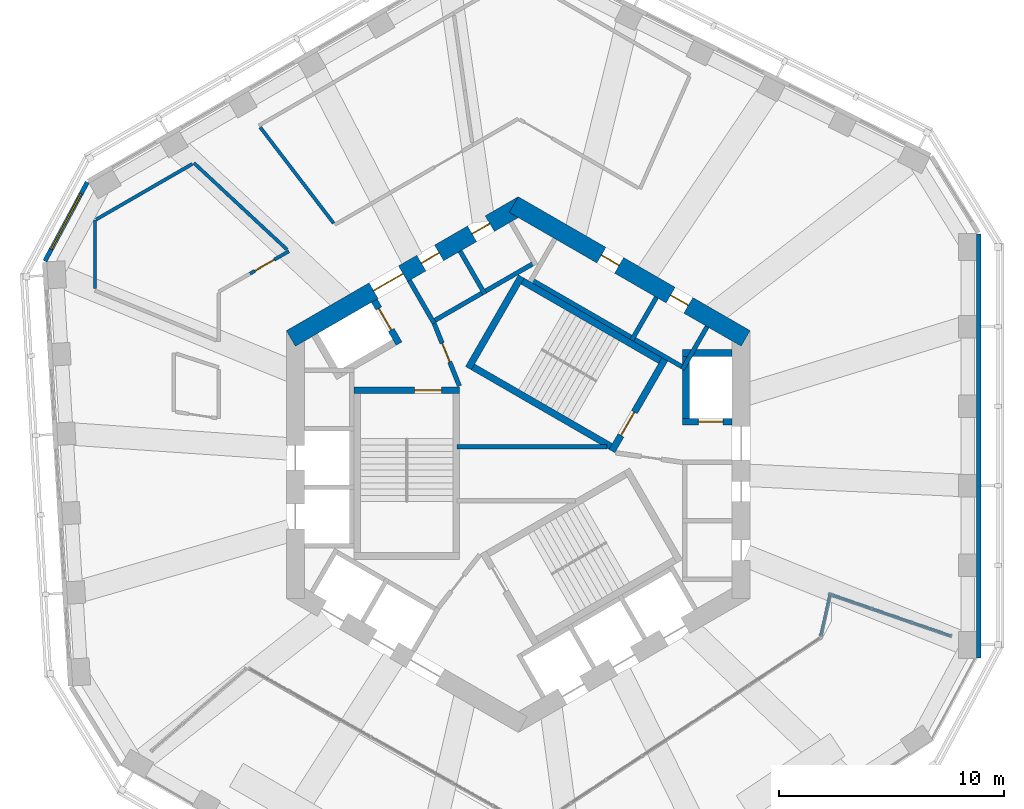
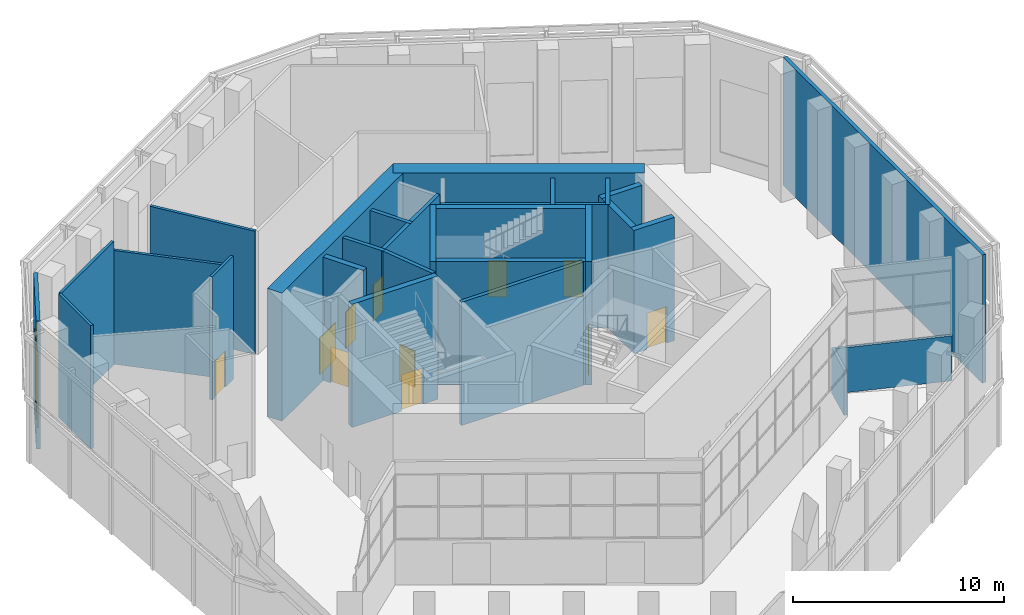
# One storey, part 10 of 17: 28 walls, 11 doors, 1 window, 12 openings.
"""IFC4 building model written with IfcOpenShell, lengths in metres."""

from ifc_helpers import new_model, si_unit, direction, frame, frame_2d, origin, place, context, subcontext, project, spatial, rectangle, extrude, material, layer, layer_set, type_object, element, fill, save


model = new_model("IFC4")

# Units and contexts
model_context = context("Model", 3, precision=1e-05, world=origin(), true_north=direction((0.0, 1.0)))
body_context = subcontext(model_context, "Body", "Model", "MODEL_VIEW")
ifc_project = project(units=[si_unit("LENGTHUNIT", "METRE"), si_unit("AREAUNIT", "SQUARE_METRE"), si_unit("VOLUMEUNIT", "CUBIC_METRE"), si_unit("PLANEANGLEUNIT", "RADIAN"), si_unit("MASSUNIT", "GRAM", prefix="KILO")], contexts=[model_context])

# Site, building, storey
site_placement = place(None, origin())
site = spatial("IfcSite", under=ifc_project, at=site_placement, CompositionType="ELEMENT")
building_placement = place(site_placement, origin())
building = spatial("IfcBuilding", under=site, at=building_placement, Name="Vanh Sen Convention Tower", CompositionType="ELEMENT")
storey_placement = place(building_placement, frame((0.0, 0.0, 214.300048828125)))
storey = spatial("IfcBuildingStorey", under=building, at=storey_placement, Name="L53", CompositionType="ELEMENT", Elevation=214.300048828125)

# Wall, openings, doors
ifc_material_1 = material(Name="Concrete C60/75", Category="concrete")
ifc_layer_1 = layer(ifc_material_1, 0.800048828125)
ifc_layer_set_1 = layer_set([ifc_layer_1], Name="Concrete C60/75")
wall_type_1 = type_object("IfcWallType", Name="Core outer wall 800 C60/75", PredefinedType="SHEAR", material=ifc_layer_set_1)
wall_1_placement = place(storey_placement, frame((10.10009765625, 5.600341796875, 0.0), z_axis=(0.0, 0.0, 1.0), x_axis=(-0.866023897231, 0.500002609418, 0.0)))
wall_1 = element("IfcWall", 1, at=wall_1_placement, inside=storey, type_object=wall_type_1, Name="Core wall face NE L53", PredefinedType="SHEAR", context=body_context, shape_type="SweptSolid", body=[
    extrude(rectangle(XDim=11.8935546875, YDim=0.800048828125, at=frame_2d((5.94677734375, 0.0))), origin(), (0.0, 0.0, 1.0), 7.39990234375),
])
opening_1_placement = place(wall_1_placement, frame((2.94677734375, 0.0, 0.0)))
opening_1 = element("IfcOpeningElement", 2, at=opening_1_placement, cuts=wall_1, Name="Opening D53012", PredefinedType="OPENING", context=body_context, shape_type="SweptSolid", body=[
    extrude(rectangle(XDim=0.89990234375, YDim=2.10009765625, at=frame_2d((0.449951171875, 1.050048828125))), frame((0.0, 0.409912109375, 0.0), z_axis=(0.0, -1.0, 0.0), x_axis=(1.0, 0.0, 0.0)), (0.0, 0.0, 1.0), 0.820068359375),
])
opening_2_placement = place(wall_1_placement, frame((6.49658203125, 0.0, 0.0)))
opening_2 = element("IfcOpeningElement", 3, at=opening_2_placement, cuts=wall_1, Name="Opening D53013", PredefinedType="OPENING", context=body_context, shape_type="SweptSolid", body=[
    extrude(rectangle(XDim=0.89990234375, YDim=2.10009765625, at=frame_2d((0.449951171875, 1.050048828125))), frame((0.0, 0.409912109375, 0.0), z_axis=(0.0, -1.0, 0.0), x_axis=(1.0, 0.0, 0.0)), (0.0, 0.0, 1.0), 0.820068359375),
])
ifc_material_2 = material(Name="Steel S355", Category="steel")
door_type_1 = type_object("IfcDoorType", Name="Plant door 900", OperationType="SINGLE_SWING_LEFT", PredefinedType="DOOR", material=ifc_material_2)
door_1_placement = place(opening_1_placement, origin())
door_1 = element("IfcDoor", 4, at=door_1_placement, inside=storey, type_object=door_type_1, Name="Plant door D53012", OperationType="SINGLE_SWING_LEFT", OverallHeight=2.10009765625, OverallWidth=0.89990234375, PredefinedType="DOOR", context=body_context, shape_type="SweptSolid", body=[
    extrude(rectangle(XDim=0.89990234375, YDim=2.10009765625, at=frame_2d((0.449951171875, 1.050048828125))), frame((0.0, 0.02490234375, 0.0), z_axis=(0.0, -1.0, 0.0), x_axis=(1.0, 0.0, 0.0)), (0.0, 0.0, 1.0), 0.050048828125),
])
fill(opening_1, door_1)
door_2_placement = place(opening_2_placement, origin())
door_2 = element("IfcDoor", 5, at=door_2_placement, inside=storey, type_object=door_type_1, Name="Plant door D53013", OperationType="SINGLE_SWING_LEFT", OverallHeight=2.10009765625, OverallWidth=0.89990234375, PredefinedType="DOOR", context=body_context, shape_type="SweptSolid", body=[
    extrude(rectangle(XDim=0.89990234375, YDim=2.10009765625, at=frame_2d((0.449951171875, 1.050048828125))), frame((0.0, 0.02490234375, 0.0), z_axis=(0.0, -1.0, 0.0), x_axis=(1.0, 0.0, 0.0)), (0.0, 0.0, 1.0), 0.050048828125),
])
fill(opening_2, door_2)

wall_2_placement = place(storey_placement, frame((0.199951171875, 11.547119140625, 0.0), z_axis=(0.0, 0.0, 1.0), x_axis=(-0.866023897231, -0.500002609418, 0.0)))
wall_2 = element("IfcWall", 6, at=wall_2_placement, inside=storey, type_object=wall_type_1, Name="Core wall face NW L53", PredefinedType="SHEAR", context=body_context, shape_type="SweptSolid", body=[
    extrude(rectangle(XDim=11.8935546875, YDim=0.800048828125, at=frame_2d((5.94677734375, 0.0))), origin(), (0.0, 0.0, 1.0), 7.39990234375),
])
opening_3_placement = place(wall_2_placement, frame((6.146728515625, 0.0, 0.0)))
opening_3 = element("IfcOpeningElement", 7, at=opening_3_placement, cuts=wall_2, Name="Opening D53002", PredefinedType="OPENING", context=body_context, shape_type="SweptSolid", body=[
    extrude(rectangle(XDim=1.5, YDim=2.10009765625, at=frame_2d((0.75, 1.050048828125))), frame((0.0, 0.409912109375, 0.0), z_axis=(0.0, -1.0, 0.0), x_axis=(1.0, 0.0, 0.0)), (0.0, 0.0, 1.0), 0.820068359375),
])
opening_4_placement = place(wall_2_placement, frame((1.69677734375, 0.0, 0.0)))
opening_4 = element("IfcOpeningElement", 8, at=opening_4_placement, cuts=wall_2, Name="Opening D53014", PredefinedType="OPENING", context=body_context, shape_type="SweptSolid", body=[
    extrude(rectangle(XDim=0.89990234375, YDim=2.10009765625, at=frame_2d((0.449951171875, 1.050048828125))), frame((0.0, 0.409912109375, 0.0), z_axis=(0.0, -1.0, 0.0), x_axis=(1.0, 0.0, 0.0)), (0.0, 0.0, 1.0), 0.820068359375),
])
opening_5_placement = place(wall_2_placement, frame((4.296630859375, 0.0, 0.0)))
opening_5 = element("IfcOpeningElement", 9, at=opening_5_placement, cuts=wall_2, Name="Opening D53015", PredefinedType="OPENING", context=body_context, shape_type="SweptSolid", body=[
    extrude(rectangle(XDim=0.89990234375, YDim=2.10009765625, at=frame_2d((0.449951171875, 1.050048828125))), frame((0.0, 0.409912109375, 0.0), z_axis=(0.0, -1.0, 0.0), x_axis=(1.0, 0.0, 0.0)), (0.0, 0.0, 1.0), 0.820068359375),
])
door_3_placement = place(opening_4_placement, origin())
door_3 = element("IfcDoor", 10, at=door_3_placement, inside=storey, type_object=door_type_1, Name="Plant door D53014", OperationType="SINGLE_SWING_LEFT", OverallHeight=2.10009765625, OverallWidth=0.89990234375, PredefinedType="DOOR", context=body_context, shape_type="SweptSolid", body=[
    extrude(rectangle(XDim=0.89990234375, YDim=2.10009765625, at=frame_2d((0.449951171875, 1.050048828125))), frame((0.0, 0.02490234375, 0.0), z_axis=(0.0, -1.0, 0.0), x_axis=(1.0, 0.0, 0.0)), (0.0, 0.0, 1.0), 0.050048828125),
])
fill(opening_4, door_3)
door_4_placement = place(opening_5_placement, origin())
door_4 = element("IfcDoor", 11, at=door_4_placement, inside=storey, type_object=door_type_1, Name="Plant door D53015", OperationType="SINGLE_SWING_LEFT", OverallHeight=2.10009765625, OverallWidth=0.89990234375, PredefinedType="DOOR", context=body_context, shape_type="SweptSolid", body=[
    extrude(rectangle(XDim=0.89990234375, YDim=2.10009765625, at=frame_2d((0.449951171875, 1.050048828125))), frame((0.0, 0.02490234375, 0.0), z_axis=(0.0, -1.0, 0.0), x_axis=(1.0, 0.0, 0.0)), (0.0, 0.0, 1.0), 0.050048828125),
])
fill(opening_5, door_4)
door_type_2 = type_object("IfcDoorType", Name="Stair lobby door 1500", OperationType="DOUBLE_DOOR_SINGLE_SWING", PredefinedType="DOOR", material=ifc_material_2)
door_5_placement = place(opening_3_placement, origin())
door_5 = element("IfcDoor", 12, at=door_5_placement, inside=storey, type_object=door_type_2, Name="Stair lobby door D53002", OperationType="DOUBLE_DOOR_SINGLE_SWING", OverallHeight=2.10009765625, OverallWidth=1.5, PredefinedType="DOOR", context=body_context, shape_type="SweptSolid", body=[
    extrude(rectangle(XDim=1.5, YDim=2.10009765625, at=frame_2d((0.75, 1.050048828125))), frame((0.0, 0.02490234375, 0.0), z_axis=(0.0, -1.0, 0.0), x_axis=(1.0, 0.0, 0.0)), (0.0, 0.0, 1.0), 0.050048828125),
])
fill(opening_3, door_5)

# Walls
ifc_material_3 = material(Name="Masonry blockwork", Category="masonry")
ifc_layer_2 = layer(ifc_material_3, 0.199951171875)
ifc_layer_set_2 = layer_set([ifc_layer_2], Name="Masonry blockwork")
wall_type_2 = type_object("IfcWallType", Name="Core partition 200", PredefinedType="PARTITIONING", material=ifc_layer_set_2)
wall_3_placement = place(storey_placement, frame((-2.719970703125, 0.800048828125, 0.0), z_axis=(0.0, 0.0, 1.0), x_axis=(1.0, 0.0, 0.0)))
element("IfcWall", 13, at=wall_3_placement, inside=storey, type_object=wall_type_2, Name="Core partition L53", PredefinedType="PARTITIONING", context=body_context, shape_type="SweptSolid", body=[
    extrude(rectangle(XDim=6.654296875, YDim=0.199951171875, at=frame_2d((3.3271484375, 0.0))), origin(), (0.0, 0.0, 1.0), 7.119873046875),
])
ifc_material_4 = material(Name="Insulated lightweight infill wall")
ifc_layer_3 = layer(ifc_material_4, 0.199951171875)
ifc_layer_set_3 = layer_set([ifc_layer_3], Name="Insulated lightweight infill wall")
wall_type_3 = type_object("IfcWallType", Name="External wall 200", PredefinedType="STANDARD", material=ifc_layer_set_3)
wall_4_placement = place(storey_placement, frame((20.449951171875, -8.5810546875, 0.0), z_axis=(0.0, 0.0, 1.0), x_axis=(0.0, 1.0, 0.0)))
element("IfcWall", 14, at=wall_4_placement, inside=storey, type_object=wall_type_3, Name="External wall E-1 L53", PredefinedType="STANDARD", context=body_context, shape_type="SweptSolid", body=[
    extrude(rectangle(XDim=18.832275390625, YDim=0.199951171875, at=frame_2d((9.416015625, 0.0))), origin(), (0.0, 0.0, 1.0), 7.39990234375),
])

# Wall, opening, window
wall_5_placement = place(storey_placement, frame((-19.140869140625, 12.54541015625, 0.0), z_axis=(0.0, 0.0, 1.0), x_axis=(-0.473306370921, -0.880897882416, 0.0)))
wall_5 = element("IfcWall", 15, at=wall_5_placement, inside=storey, type_object=wall_type_3, Name="External wall CH3 L53", PredefinedType="STANDARD", context=body_context, shape_type="SweptSolid", body=[
    extrude(rectangle(XDim=3.982666015625, YDim=0.199951171875, at=frame_2d((1.9912109375, 0.0))), origin(), (0.0, 0.0, 1.0), 7.39990234375),
])
opening_6_placement = place(wall_5_placement, frame((0.59130859375, 0.0, 0.800048828125)))
opening_6 = element("IfcOpeningElement", 16, at=opening_6_placement, cuts=wall_5, Name="Opening WS3-CH31", PredefinedType="OPENING", context=body_context, shape_type="SweptSolid", body=[
    extrude(rectangle(XDim=2.800048828125, YDim=4.199951171875, at=frame_2d((1.39990234375, 2.10009765625))), frame((0.0, 0.10986328125, 0.0), z_axis=(0.0, -1.0, 0.0), x_axis=(1.0, 0.0, 0.0)), (0.0, 0.0, 1.0), 0.219970703125),
])
ifc_material_5 = material(Name="Aluminium frame with clear low-emissivity glass", Category="aluminium")
window_type = type_object("IfcWindowType", Name="Sky garden window 2800 x 4200", PartitioningType="SINGLE_PANEL", PredefinedType="WINDOW", material=ifc_material_5)
window_placement = place(opening_6_placement, origin())
window = element("IfcWindow", 17, at=window_placement, inside=storey, type_object=window_type, Name="Window WS3-CH31", OverallHeight=4.199951171875, OverallWidth=2.800048828125, PartitioningType="SINGLE_PANEL", PredefinedType="WINDOW", context=body_context, shape_type="SweptSolid", body=[
    extrude(rectangle(XDim=2.800048828125, YDim=4.199951171875, at=frame_2d((1.39990234375, 2.10009765625))), frame((0.0, 0.030029296875, 0.0), z_axis=(0.0, -1.0, 0.0), x_axis=(1.0, 0.0, 0.0)), (0.0, 0.0, 1.0), 0.06005859375),
])
fill(opening_6, window)

# Wall, opening, door
ifc_layer_4 = layer(ifc_material_1, 0.300048828125)
ifc_layer_set_4 = layer_set([ifc_layer_4], Name="Concrete C60/75")
wall_type_4 = type_object("IfcWallType", Name="Fire-fighting lift shaft wall 300", PredefinedType="SHEAR", material=ifc_layer_set_4)
wall_6_placement = place(storey_placement, frame((7.300048828125, 1.89990234375, 0.0), z_axis=(0.0, 0.0, 1.0), x_axis=(1.0, 0.0, 0.0)))
wall_6 = element("IfcWall", 18, at=wall_6_placement, inside=storey, type_object=wall_type_4, Name="Fire-fighting lift shaft wall L53", PredefinedType="SHEAR", context=body_context, shape_type="SweptSolid", body=[
    extrude(rectangle(XDim=2.199951171875, YDim=0.300048828125, at=frame_2d((1.10009765625, 0.0))), origin(), (0.0, 0.0, 1.0), 7.119873046875),
])
opening_7_placement = place(wall_6_placement, frame((0.699951171875, 0.0, 0.0)))
opening_7 = element("IfcOpeningElement", 19, at=opening_7_placement, cuts=wall_6, Name="Opening LD-FF1", PredefinedType="OPENING", context=body_context, shape_type="SweptSolid", body=[
    extrude(rectangle(XDim=1.10009765625, YDim=2.10009765625, at=frame_2d((0.550048828125, 1.050048828125))), frame((0.0, 0.159912109375, 0.0), z_axis=(0.0, -1.0, 0.0), x_axis=(1.0, 0.0, 0.0)), (0.0, 0.0, 1.0), 0.320068359375),
])
ifc_material_6 = material(Name="Stainless steel", Category="steel")
door_type_3 = type_object("IfcDoorType", Name="Fire-fighting lift landing door 1100", OperationType="DOUBLE_DOOR_SLIDING", PredefinedType="DOOR", material=ifc_material_6)
door_6_placement = place(opening_7_placement, origin())
door_6 = element("IfcDoor", 20, at=door_6_placement, inside=storey, type_object=door_type_3, Name="Lift FF1 landing door LD-FF1", OperationType="DOUBLE_DOOR_SLIDING", OverallHeight=2.10009765625, OverallWidth=1.10009765625, PredefinedType="DOOR", context=body_context, shape_type="SweptSolid", body=[
    extrude(rectangle(XDim=1.10009765625, YDim=2.10009765625, at=frame_2d((0.550048828125, 1.050048828125))), frame((0.0, 0.02490234375, 0.0), z_axis=(0.0, -1.0, 0.0), x_axis=(1.0, 0.0, 0.0)), (0.0, 0.0, 1.0), 0.050048828125),
])
fill(opening_7, door_6)

# Walls
wall_7_placement = place(storey_placement, frame((7.449951171875, 1.75, 0.0), z_axis=(0.0, 0.0, 1.0), x_axis=(0.0, 1.0, 0.0)))
element("IfcWall", 21, at=wall_7_placement, inside=storey, type_object=wall_type_4, Name="Fire-fighting lift shaft wall L53", PredefinedType="SHEAR", context=body_context, shape_type="SweptSolid", body=[
    extrude(rectangle(XDim=3.35009765625, YDim=0.300048828125, at=frame_2d((1.675048828125, 0.0))), origin(), (0.0, 0.0, 1.0), 7.119873046875),
])
wall_8_placement = place(storey_placement, frame((7.300048828125, 4.949951171875, 0.0), z_axis=(0.0, 0.0, 1.0), x_axis=(1.0, 0.0, 0.0)))
element("IfcWall", 22, at=wall_8_placement, inside=storey, type_object=wall_type_4, Name="Fire-fighting lift shaft wall L53", PredefinedType="SHEAR", context=body_context, shape_type="SweptSolid", body=[
    extrude(rectangle(XDim=2.199951171875, YDim=0.300048828125, at=frame_2d((1.10009765625, 0.0))), origin(), (0.0, 0.0, 1.0), 7.119873046875),
])

# Wall, opening, door
wall_9_placement = place(storey_placement, frame((-5.29541015625, 5.3720703125, 0.0), z_axis=(0.0, 0.0, 1.0), x_axis=(-0.500077893725, 0.86598042715, 0.0)))
wall_9 = element("IfcWall", 23, at=wall_9_placement, inside=storey, type_object=wall_type_4, Name="Fire-fighting lift shaft wall L53", PredefinedType="SHEAR", context=body_context, shape_type="SweptSolid", body=[
    extrude(rectangle(XDim=2.199951171875, YDim=0.300048828125, at=frame_2d((1.10009765625, 0.0))), origin(), (0.0, 0.0, 1.0), 7.119873046875),
])
opening_8_placement = place(wall_9_placement, frame((0.699951171875, 0.0, 0.0)))
opening_8 = element("IfcOpeningElement", 24, at=opening_8_placement, cuts=wall_9, Name="Opening LD-FF2", PredefinedType="OPENING", context=body_context, shape_type="SweptSolid", body=[
    extrude(rectangle(XDim=1.10009765625, YDim=2.10009765625, at=frame_2d((0.550048828125, 1.050048828125))), frame((0.0, 0.159912109375, 0.0), z_axis=(0.0, -1.0, 0.0), x_axis=(1.0, 0.0, 0.0)), (0.0, 0.0, 1.0), 0.320068359375),
])
door_7_placement = place(opening_8_placement, origin())
door_7 = element("IfcDoor", 25, at=door_7_placement, inside=storey, type_object=door_type_3, Name="Lift FF2 landing door LD-FF2", OperationType="DOUBLE_DOOR_SLIDING", OverallHeight=2.10009765625, OverallWidth=1.10009765625, PredefinedType="DOOR", context=body_context, shape_type="SweptSolid", body=[
    extrude(rectangle(XDim=1.10009765625, YDim=2.10009765625, at=frame_2d((0.550048828125, 1.050048828125))), frame((0.0, 0.02490234375, 0.0), z_axis=(0.0, -1.0, 0.0), x_axis=(1.0, 0.0, 0.0)), (0.0, 0.0, 1.0), 0.050048828125),
])
fill(opening_8, door_7)

# Walls
ifc_material_7 = material(Name="Concrete C40/50", Category="concrete")
ifc_layer_5 = layer(ifc_material_7, 0.199951171875)
ifc_layer_set_5 = layer_set([ifc_layer_5], Name="Concrete C40/50")
wall_type_5 = type_object("IfcWallType", Name="Lift shaft wall 200", PredefinedType="PARTITIONING", material=ifc_layer_set_5)
wall_10_placement = place(storey_placement, frame((7.423828125, 4.258544921875, 0.0), z_axis=(0.0, 0.0, 1.0), x_axis=(-0.866026010844, 0.49999894854, 0.0)))
element("IfcWall", 26, at=wall_10_placement, inside=storey, type_object=wall_type_5, Name="Lift shaft wall L53", PredefinedType="PARTITIONING", context=body_context, shape_type="SweptSolid", body=[
    extrude(rectangle(XDim=8.0, YDim=0.199951171875, at=frame_2d((4.0, 0.0))), origin(), (0.0, 0.0, 1.0), 7.119873046875),
])
for number, where, z_axis, x_axis, name in (
    (27, (7.287353515625, 4.221923828125, 0.0), (0.0, 0.0, 1.0), (0.499946605688, 0.86605622881, 0.0), "Lift shaft wall L53"),
    (28, (5.03564453125, 5.52197265625, 0.0), (0.0, 0.0, 1.0), (0.499946605688, 0.86605622881, 0.0), "Lift shaft wall L53"),
):
    element("IfcWall", number, at=place(storey_placement, frame(where, z_axis=z_axis, x_axis=x_axis)), inside=storey, type_object=wall_type_5, Name=name, PredefinedType="PARTITIONING", context=body_context, shape_type="SweptSolid", body=[
        extrude(rectangle(XDim=2.199951171875, YDim=0.199951171875, at=frame_2d((1.10009765625, 0.0))), origin(), (0.0, 0.0, 1.0), 7.119873046875),
    ])
wall_11_placement = place(storey_placement, frame((0.80322265625, 9.008544921875, 0.0), z_axis=(0.0, 0.0, 1.0), x_axis=(-0.866028230842, -0.499995103361, 0.0)))
element("IfcWall", 29, at=wall_11_placement, inside=storey, type_object=wall_type_5, Name="Lift shaft wall L53", PredefinedType="PARTITIONING", context=body_context, shape_type="SweptSolid", body=[
    extrude(rectangle(XDim=5.39990234375, YDim=0.199951171875, at=frame_2d((2.699951171875, 0.0))), origin(), (0.0, 0.0, 1.0), 7.119873046875),
])
for number, where, z_axis, x_axis, name in (
    (30, (-1.48486328125, 7.572021484375, 0.0), (0.0, 0.0, 1.0), (-0.50002983664, 0.866008176907, 0.0), "Lift shaft wall L53"),
    (31, (-3.736572265625, 6.27197265625, 0.0), (0.0, 0.0, 1.0), (-0.50002983664, 0.866008176907, 0.0), "Lift shaft wall L53"),
):
    element("IfcWall", number, at=place(storey_placement, frame(where, z_axis=z_axis, x_axis=x_axis)), inside=storey, type_object=wall_type_5, Name=name, PredefinedType="PARTITIONING", context=body_context, shape_type="SweptSolid", body=[
        extrude(rectangle(XDim=2.199951171875, YDim=0.199951171875, at=frame_2d((1.10009765625, 0.0))), origin(), (0.0, 0.0, 1.0), 7.119873046875),
    ])
ifc_material_8 = material(Name="Gypsum board on steel studs", Category="steel")
ifc_layer_6 = layer(ifc_material_8, 0.14990234375)
ifc_layer_set_6 = layer_set([ifc_layer_6], Name="Gypsum board on steel studs")
wall_type_6 = type_object("IfcWallType", Name="Partition 150", PredefinedType="PARTITIONING", material=ifc_layer_set_6)
wall_12_placement = place(storey_placement, frame((-18.800048828125, 7.8095703125, 0.0), z_axis=(0.0, 0.0, 1.0), x_axis=(0.0, 1.0, 0.0)))
element("IfcWall", 32, at=wall_12_placement, inside=storey, type_object=wall_type_6, Name="Partition L53-007", PredefinedType="PARTITIONING", context=body_context, shape_type="SweptSolid", body=[
    extrude(rectangle(XDim=3.04443359375, YDim=0.14990234375, at=frame_2d((1.522216796875, 0.0))), origin(), (0.0, 0.0, 1.0), 7.119873046875),
])

# Wall, opening, door
wall_13_placement = place(storey_placement, frame((-11.9150390625, 8.478515625, 0.0), z_axis=(0.0, 0.0, 1.0), x_axis=(0.866108031567, 0.499856857165, 0.0)))
wall_13 = element("IfcWall", 33, at=wall_13_placement, inside=storey, type_object=wall_type_6, Name="Partition L53-009", PredefinedType="PARTITIONING", context=body_context, shape_type="SweptSolid", body=[
    extrude(rectangle(XDim=1.99169921875, YDim=0.14990234375, at=frame_2d((0.995849609375, 0.0))), origin(), (0.0, 0.0, 1.0), 7.119873046875),
])
opening_9_placement = place(wall_13_placement, frame((0.25, 0.0, 0.0)))
opening_9 = element("IfcOpeningElement", 34, at=opening_9_placement, cuts=wall_13, Name="Opening D53102", PredefinedType="OPENING", context=body_context, shape_type="SweptSolid", body=[
    extrude(rectangle(XDim=1.0, YDim=2.10009765625, at=frame_2d((0.5, 1.050048828125))), frame((0.0, 0.0849609375, 0.0), z_axis=(0.0, -1.0, 0.0), x_axis=(1.0, 0.0, 0.0)), (0.0, 0.0, 1.0), 0.169921875),
])
ifc_material_9 = material(Name="Timber door in steel frame", Category="steel")
door_type_4 = type_object("IfcDoorType", Name="Room door 1000", OperationType="SINGLE_SWING_LEFT", PredefinedType="DOOR", material=ifc_material_9)
door_8_placement = place(opening_9_placement, origin())
door_8 = element("IfcDoor", 35, at=door_8_placement, inside=storey, type_object=door_type_4, Name="Room door D53102", OperationType="SINGLE_SWING_LEFT", OverallHeight=2.10009765625, OverallWidth=1.0, PredefinedType="DOOR", context=body_context, shape_type="SweptSolid", body=[
    extrude(rectangle(XDim=1.0, YDim=2.10009765625, at=frame_2d((0.5, 1.050048828125))), frame((0.0, 0.02490234375, 0.0), z_axis=(0.0, -1.0, 0.0), x_axis=(1.0, 0.0, 0.0)), (0.0, 0.0, 1.0), 0.050048828125),
])
fill(opening_9, door_8)

# Walls
wall_14_placement = place(storey_placement, frame((-18.748046875, 10.884033203125, 0.0), z_axis=(0.0, 0.0, 1.0), x_axis=(0.866021674193, 0.500006459787, 0.0)))
element("IfcWall", 36, at=wall_14_placement, inside=storey, type_object=wall_type_6, Name="Partition L53-011", PredefinedType="PARTITIONING", context=body_context, shape_type="SweptSolid", body=[
    extrude(rectangle(XDim=4.93603515625, YDim=0.14990234375, at=frame_2d((2.468017578125, 0.0))), origin(), (0.0, 0.0, 1.0), 7.119873046875),
])
wall_15_placement = place(storey_placement, frame((-14.404052734375, 13.39208984375, 0.0), z_axis=(0.0, 0.0, 1.0), x_axis=(0.73235196953, -0.680926275543, 0.0)))
element("IfcWall", 37, at=wall_15_placement, inside=storey, type_object=wall_type_6, Name="Partition L53-013", PredefinedType="PARTITIONING", context=body_context, shape_type="SweptSolid", body=[
    extrude(rectangle(XDim=5.654296875, YDim=0.14990234375, at=frame_2d((2.8271484375, 0.0))), origin(), (0.0, 0.0, 1.0), 6.570068359375),
])
ifc_layer_7 = layer(ifc_material_8, 0.14990234375)
ifc_layer_set_7 = layer_set([ifc_layer_7], Name="Gypsum board on steel studs")
wall_type_7 = type_object("IfcWallType", Name="Partition 150 EI 60", PredefinedType="PARTITIONING", material=ifc_layer_set_7)
wall_16_placement = place(storey_placement, frame((-8.19873046875, 10.715576171875, 0.0), z_axis=(0.0, 0.0, 1.0), x_axis=(-0.607666232271, 0.794192514544, 0.0)))
element("IfcWall", 38, at=wall_16_placement, inside=storey, type_object=wall_type_7, Name="Partition L53-010", PredefinedType="PARTITIONING", context=body_context, shape_type="SweptSolid", body=[
    extrude(rectangle(XDim=5.366455078125, YDim=0.14990234375, at=frame_2d((2.68310546875, 0.0))), origin(), (0.0, 0.0, 1.0), 7.119873046875),
])

# Wall, opening, door
ifc_layer_8 = layer(ifc_material_7, 0.199951171875)
ifc_layer_set_8 = layer_set([ifc_layer_8], Name="Concrete C40/50")
wall_type_8 = type_object("IfcWallType", Name="Stair lobby wall 200", PredefinedType="PARTITIONING", material=ifc_layer_set_8)
wall_17_placement = place(storey_placement, frame((-2.614990234375, 3.487060546875, 0.0), z_axis=(0.0, 0.0, 1.0), x_axis=(-0.373576831041, 0.92759924068, 0.0)))
wall_17 = element("IfcWall", 39, at=wall_17_placement, inside=storey, type_object=wall_type_8, Name="Stair lobby wall L53", PredefinedType="PARTITIONING", context=body_context, shape_type="SweptSolid", body=[
    extrude(rectangle(XDim=3.002197265625, YDim=0.199951171875, at=frame_2d((1.5009765625, 0.0))), origin(), (0.0, 0.0, 1.0), 7.119873046875),
])
opening_10_placement = place(wall_17_placement, frame((1.14990234375, 0.0, 0.0)))
opening_10 = element("IfcOpeningElement", 40, at=opening_10_placement, cuts=wall_17, Name="Opening D53008", PredefinedType="OPENING", context=body_context, shape_type="SweptSolid", body=[
    extrude(rectangle(XDim=0.89990234375, YDim=2.10009765625, at=frame_2d((0.449951171875, 1.050048828125))), frame((0.0, 0.10986328125, 0.0), z_axis=(0.0, -1.0, 0.0), x_axis=(1.0, 0.0, 0.0)), (0.0, 0.0, 1.0), 0.219970703125),
])
door_9_placement = place(opening_10_placement, origin())
door_9 = element("IfcDoor", 41, at=door_9_placement, inside=storey, type_object=door_type_1, Name="Plant door D53008", OperationType="SINGLE_SWING_LEFT", OverallHeight=2.10009765625, OverallWidth=0.89990234375, PredefinedType="DOOR", context=body_context, shape_type="SweptSolid", body=[
    extrude(rectangle(XDim=0.89990234375, YDim=2.10009765625, at=frame_2d((0.449951171875, 1.050048828125))), frame((0.0, 0.02490234375, 0.0), z_axis=(0.0, -1.0, 0.0), x_axis=(1.0, 0.0, 0.0)), (0.0, 0.0, 1.0), 0.050048828125),
])
fill(opening_10, door_9)

ifc_layer_9 = layer(ifc_material_1, 0.300048828125)
ifc_layer_set_9 = layer_set([ifc_layer_9], Name="Concrete C60/75")
wall_type_9 = type_object("IfcWallType", Name="Stair wall 300", PredefinedType="SHEAR", material=ifc_layer_set_9)
wall_18_placement = place(storey_placement, frame((4.157958984375, 0.601806640625, 0.0), z_axis=(0.0, 0.0, 1.0), x_axis=(0.499977259774, 0.866038532462, 0.0)))
wall_18 = element("IfcWall", 42, at=wall_18_placement, inside=storey, type_object=wall_type_9, Name="Stair wall L53", PredefinedType="SHEAR", context=body_context, shape_type="SweptSolid", body=[
    extrude(rectangle(XDim=4.699951171875, YDim=0.300048828125, at=frame_2d((2.35009765625, 0.0))), origin(), (0.0, 0.0, 1.0), 7.119873046875),
])
opening_11_placement = place(wall_18_placement, frame((0.800048828125, 0.0, 0.0)))
opening_11 = element("IfcOpeningElement", 43, at=opening_11_placement, cuts=wall_18, Name="Opening D53004", PredefinedType="OPENING", context=body_context, shape_type="SweptSolid", body=[
    extrude(rectangle(XDim=1.199951171875, YDim=2.10009765625, at=frame_2d((0.60009765625, 1.050048828125))), frame((0.0, 0.159912109375, 0.0), z_axis=(0.0, -1.0, 0.0), x_axis=(1.0, 0.0, 0.0)), (0.0, 0.0, 1.0), 0.320068359375),
])
door_type_5 = type_object("IfcDoorType", Name="Stair door 1200", OperationType="SINGLE_SWING_RIGHT", PredefinedType="DOOR", material=ifc_material_2)
door_10_placement = place(opening_11_placement, origin())
door_10 = element("IfcDoor", 44, at=door_10_placement, inside=storey, type_object=door_type_5, Name="Stair ST1 door D53004", OperationType="SINGLE_SWING_RIGHT", OverallHeight=2.10009765625, OverallWidth=1.199951171875, PredefinedType="DOOR", context=body_context, shape_type="SweptSolid", body=[
    extrude(rectangle(XDim=1.199951171875, YDim=2.10009765625, at=frame_2d((0.60009765625, 1.050048828125))), frame((0.0, 0.02490234375, 0.0), z_axis=(0.0, -1.0, 0.0), x_axis=(1.0, 0.0, 0.0)), (0.0, 0.0, 1.0), 0.050048828125),
])
fill(opening_11, door_10)

# Walls
wall_19_placement = place(storey_placement, frame((-2.216064453125, 4.28173828125, 0.0), z_axis=(0.0, 0.0, 1.0), x_axis=(0.499977259774, 0.866038532462, 0.0)))
element("IfcWall", 45, at=wall_19_placement, inside=storey, type_object=wall_type_9, Name="Stair wall L53", PredefinedType="SHEAR", context=body_context, shape_type="SweptSolid", body=[
    extrude(rectangle(XDim=4.699951171875, YDim=0.300048828125, at=frame_2d((2.35009765625, 0.0))), origin(), (0.0, 0.0, 1.0), 7.119873046875),
])
for number, where, z_axis, x_axis, name in (
    (46, (4.10302734375, 0.806640625, 0.0), (0.0, 0.0, 1.0), (-0.866027801685, 0.499995846692, 0.0), "Stair wall L53"),
    (47, (6.302978515625, 4.6171875, 0.0), (0.0, 0.0, 1.0), (-0.866027801685, 0.499995846692, 0.0), "Stair wall L53"),
):
    element("IfcWall", number, at=place(storey_placement, frame(where, z_axis=z_axis, x_axis=x_axis)), inside=storey, type_object=wall_type_9, Name=name, PredefinedType="SHEAR", context=body_context, shape_type="SweptSolid", body=[
        extrude(rectangle(XDim=7.06005859375, YDim=0.300048828125, at=frame_2d((3.530029296875, 0.0))), origin(), (0.0, 0.0, 1.0), 7.119873046875),
    ])

# Wall, opening, door
wall_20_placement = place(storey_placement, frame((-2.60009765625, 3.300048828125, 0.0), z_axis=(0.0, 0.0, 1.0), x_axis=(-1.0, 0.0, 0.0)))
wall_20 = element("IfcWall", 48, at=wall_20_placement, inside=storey, type_object=wall_type_9, Name="Stair wall L53", PredefinedType="SHEAR", context=body_context, shape_type="SweptSolid", body=[
    extrude(rectangle(XDim=4.699951171875, YDim=0.300048828125, at=frame_2d((2.35009765625, 0.0))), origin(), (0.0, 0.0, 1.0), 7.119873046875),
])
opening_12_placement = place(wall_20_placement, frame((0.800048828125, 0.0, 0.0)))
opening_12 = element("IfcOpeningElement", 49, at=opening_12_placement, cuts=wall_20, Name="Opening D53005", PredefinedType="OPENING", context=body_context, shape_type="SweptSolid", body=[
    extrude(rectangle(XDim=1.199951171875, YDim=2.10009765625, at=frame_2d((0.60009765625, 1.050048828125))), frame((0.0, 0.159912109375, 0.0), z_axis=(0.0, -1.0, 0.0), x_axis=(1.0, 0.0, 0.0)), (0.0, 0.0, 1.0), 0.320068359375),
])
door_11_placement = place(opening_12_placement, origin())
door_11 = element("IfcDoor", 50, at=door_11_placement, inside=storey, type_object=door_type_5, Name="Stair ST2 door D53005", OperationType="SINGLE_SWING_RIGHT", OverallHeight=2.10009765625, OverallWidth=1.199951171875, PredefinedType="DOOR", context=body_context, shape_type="SweptSolid", body=[
    extrude(rectangle(XDim=1.199951171875, YDim=2.10009765625, at=frame_2d((0.60009765625, 1.050048828125))), frame((0.0, 0.02490234375, 0.0), z_axis=(0.0, -1.0, 0.0), x_axis=(1.0, 0.0, 0.0)), (0.0, 0.0, 1.0), 0.050048828125),
])
fill(opening_12, door_11)

# Walls
ifc_material_10 = material(Name="Aluminium-framed structural glazing with clear glass", Category="aluminium")
ifc_layer_10 = layer(ifc_material_10, 0.14990234375)
ifc_layer_set_10 = layer_set([ifc_layer_10], Name="Aluminium-framed structural glazing with clear glass")
wall_type_10 = type_object("IfcWallType", Name="Winter garden glazed wall 150", PredefinedType="STANDARD", material=ifc_layer_set_10)
wall_21_placement = place(storey_placement, frame((19.241943359375, -7.622802734375, 0.0), z_axis=(0.0, 0.0, 1.0), x_axis=(-0.945463903204, 0.325726891334, 0.0)))
element("IfcWall", 51, at=wall_21_placement, inside=storey, type_object=wall_type_10, Name="Winter garden wall 1 L53", PredefinedType="STANDARD", context=body_context, shape_type="SweptSolid", body=[
    extrude(rectangle(XDim=5.619140625, YDim=0.14990234375, at=frame_2d((2.8095703125, 0.0))), origin(), (0.0, 0.0, 1.0), 2.599853515625),
])
wall_22_placement = place(storey_placement, frame((13.859375, -5.698974609375, 0.0), z_axis=(0.0, 0.0, 1.0), x_axis=(-0.216825744963, -0.976210323814, 0.0)))
element("IfcWall", 52, at=wall_22_placement, inside=storey, type_object=wall_type_10, Name="Winter garden wall 2 L53", PredefinedType="STANDARD", context=body_context, shape_type="SweptSolid", body=[
    extrude(rectangle(XDim=1.974853515625, YDim=0.14990234375, at=frame_2d((0.9873046875, 0.0))), origin(), (0.0, 0.0, 1.0), 2.599853515625),
])

save(model, "model.ifc")
